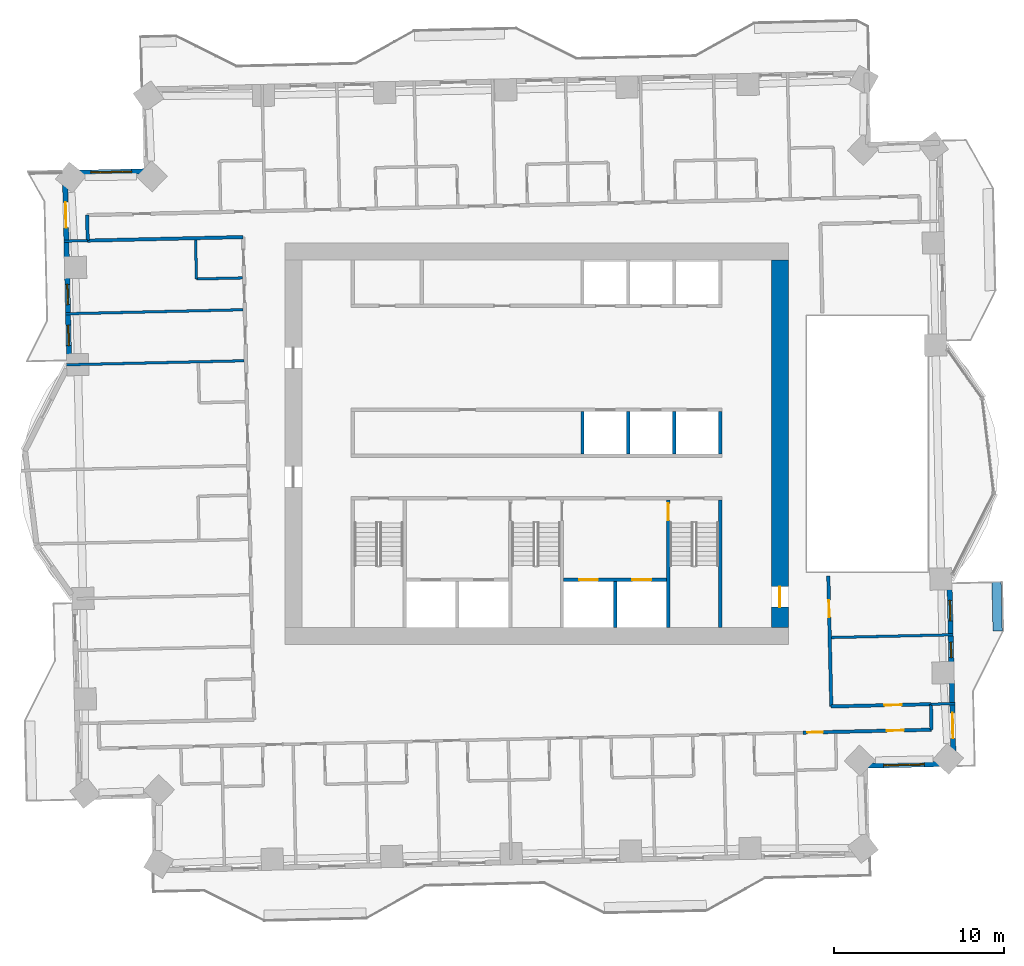
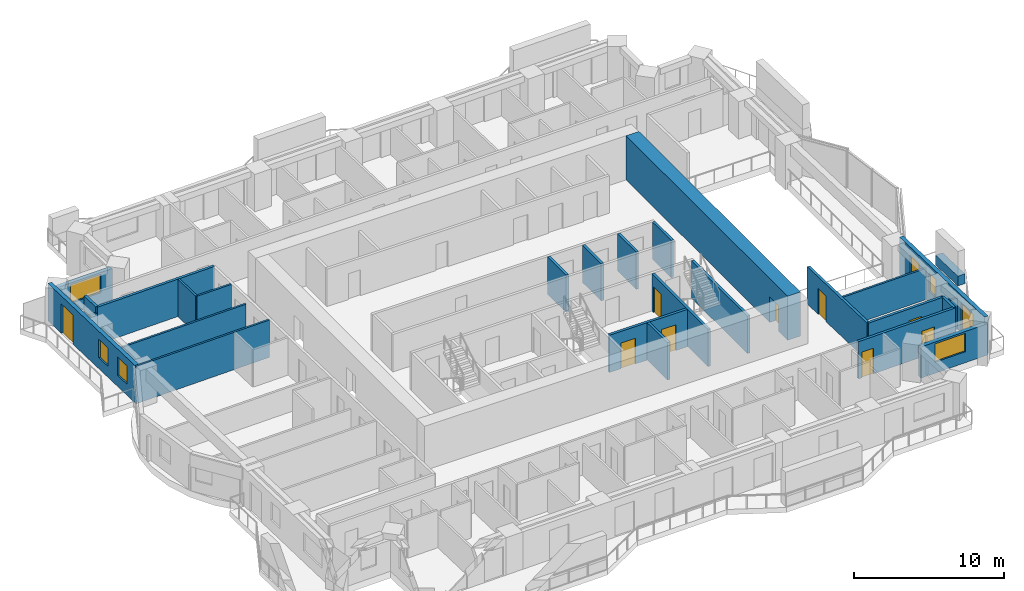
# One storey, part 9 of 16: 27 walls, 10 doors, 6 windows, 16 openings.
"""IFC4 building model written with IfcOpenShell, lengths in metres."""

import ifcopenshell
import ifcopenshell.guid

model = None  # the IFC model being written
_history = None  # IfcOwnerHistory: only IFC2X3 demands one
_inside = {}  # id of a spatial element -> (the spatial element, [elements in it])
_under = {}  # id of a project, library or spatial element -> (it, [spatial elements below it])
_declared = {}  # id of a project -> (the project, [libraries it declares])
_typed = {}  # id of a type object -> (the type object, [elements of that type])
_made_of = {}  # id of a material, layer set ... -> (it, [elements and type objects made of it])


def new_model(schema):
    """Start an empty IFC model of exactly this schema.

    Asked for "IFC4X3", IfcOpenShell would pick the latest addendum, in which some entities
    have other attributes; the version numbers below select the first issue.
    IFC2X3 requires an IfcOwnerHistory on every rooted entity: one is made here for all.
    """
    global model, _history
    if schema == "IFC4X3":
        model = ifcopenshell.file(schema_version=(4, 3, 0, 0))
    else:
        model = ifcopenshell.file(schema=schema)
    _inside.clear()
    _under.clear()
    _declared.clear()
    _typed.clear()
    _made_of.clear()
    _history = None
    if model.schema == "IFC2X3":
        org = make("IfcOrganization", Name="unknown")
        user = make(
            "IfcPersonAndOrganization",
            ThePerson=make("IfcPerson", FamilyName="unknown"),
            TheOrganization=org,
        )
        app = make(
            "IfcApplication",
            ApplicationDeveloper=org,
            Version="unknown",
            ApplicationFullName="unknown",
            ApplicationIdentifier="unknown",
        )
        _history = make(
            "IfcOwnerHistory",
            OwningUser=user,
            OwningApplication=app,
            ChangeAction="ADDED",
            CreationDate=0,
        )
    return model


def make(cls, **values):
    """One entity of the class cls with the attributes given. An attribute that is None is left unset."""
    return model.create_entity(
        cls, **{name: value for name, value in values.items() if value is not None}
    )


def rooted(cls, **values):
    """An entity with a GlobalId (a new one), such as an element, a storey or a relation."""
    return make(cls, GlobalId=ifcopenshell.guid.new(), OwnerHistory=_history, **values)


def si_unit(unit_type, name, prefix=None):
    """IfcSIUnit, for example si_unit("LENGTHUNIT", "METRE", prefix="MILLI")."""
    return make("IfcSIUnit", UnitType=unit_type, Prefix=prefix, Name=name)


def assignment(units):
    """IfcUnitAssignment: the units of a project."""
    return None if units is None else make("IfcUnitAssignment", Units=units)


def point(xyz):
    """IfcCartesianPoint."""
    return None if xyz is None else make("IfcCartesianPoint", Coordinates=xyz)


def direction(xyz):
    """IfcDirection."""
    return None if xyz is None else make("IfcDirection", DirectionRatios=xyz)


def frame(location, z_axis=None, x_axis=None):
    """IfcAxis2Placement3D, a coordinate frame: its origin and axes. An axis left out is left unset."""
    return make(
        "IfcAxis2Placement3D",
        Location=point(location),
        Axis=direction(z_axis),
        RefDirection=direction(x_axis),
    )


def frame_2d(location, x_axis=None):
    """IfcAxis2Placement2D, a coordinate frame in the plane: its origin and x axis."""
    return make(
        "IfcAxis2Placement2D", Location=point(location), RefDirection=direction(x_axis)
    )


def origin():
    """The frame at (0, 0, 0) with its axes left unset."""
    return frame((0.0, 0.0, 0.0))


def place(relative_to, where):
    """IfcLocalPlacement: puts the frame where relative to a parent placement (None: the world)."""
    return make(
        "IfcLocalPlacement", PlacementRelTo=relative_to, RelativePlacement=where
    )


def context(
    kind, dimensions, precision=None, world=None, true_north=None, identifier=None
):
    """IfcGeometricRepresentationContext, for example the 3D "Model" context."""
    return make(
        "IfcGeometricRepresentationContext",
        ContextIdentifier=identifier,
        ContextType=kind,
        CoordinateSpaceDimension=dimensions,
        Precision=precision,
        WorldCoordinateSystem=world,
        TrueNorth=true_north,
    )


def subcontext(parent, identifier, kind, view, scale=None):
    """IfcGeometricRepresentationSubContext, for example "Body" below "Model"."""
    return make(
        "IfcGeometricRepresentationSubContext",
        ContextIdentifier=identifier,
        ContextType=kind,
        ParentContext=parent,
        TargetScale=scale,
        TargetView=view,
    )


def project(units=None, contexts=None):
    """IfcProject with its units and contexts."""
    return rooted(
        "IfcProject",
        Name="project",
        RepresentationContexts=contexts,
        UnitsInContext=assignment(units),
    )


def spatial(cls, under=None, at=None, **own):
    """A site, building, storey or space (cls), placed at a placement, below another one or the project."""
    s = rooted(cls, ObjectPlacement=at, **own)
    if under is not None:
        _under.setdefault(under.id(), (under, []))[1].append(s)
    return s


def profile(cls, at=None, kind="AREA", **sizes):
    """A parametric profile (cls). Its sizes go by their IFC names, for example OverallWidth=200.0."""
    return make(cls, ProfileType=kind, Position=at, **sizes)


def rectangle(**sizes):
    """IfcRectangleProfileDef."""
    return profile("IfcRectangleProfileDef", **sizes)


def extrude(swept, where, along, depth):
    """IfcExtrudedAreaSolid: the profile swept, set in the frame where, extruded along a direction by depth."""
    return make(
        "IfcExtrudedAreaSolid",
        SweptArea=swept,
        Position=where,
        ExtrudedDirection=direction(along),
        Depth=depth,
    )


def shape(context_of_items, identifier, shape_type, items):
    """IfcShapeRepresentation: the items that make up one representation, for example the "Body"."""
    return make(
        "IfcShapeRepresentation",
        ContextOfItems=context_of_items,
        RepresentationIdentifier=identifier,
        RepresentationType=shape_type,
        Items=items,
    )


def material(Name=None, Category=None):
    """IfcMaterial."""
    return make("IfcMaterial", Name=Name, Category=Category)


def layer(
    of_material, thickness, ventilated=None, Name=None, Category=None, Priority=None
):
    """IfcMaterialLayer: one layer of a wall or slab, of a material (None: an air gap)."""
    return make(
        "IfcMaterialLayer",
        Material=of_material,
        LayerThickness=thickness,
        IsVentilated=ventilated,
        Name=Name,
        Category=Category,
        Priority=Priority,
    )


def layer_set(layers, Name=None):
    """IfcMaterialLayerSet."""
    return make("IfcMaterialLayerSet", MaterialLayers=layers, LayerSetName=Name)


def made_of(thing, what):
    """Note that an element or type object is made of a material, layer set ...; save() writes the relation."""
    if what is not None:
        _made_of.setdefault(what.id(), (what, []))[1].append(thing)
    return thing


def type_object(cls, material=None, **own):
    """A type object (cls), such as IfcWallType, which elements share."""
    return made_of(rooted(cls, **own), material)


def element(
    cls,
    number,
    at=None,
    inside=None,
    cuts=None,
    type_object=None,
    material=None,
    context=None,
    identifier="Body",
    shape_type=None,
    held_by="IfcProductDefinitionShape",
    body=None,
    shapes=None,
    **own,
):
    """One element of the class cls, such as IfcWall. Its Tag is "e" and its number.

    at: its placement. inside: the storey or other place that contains it. cuts: it is an
    opening in that element (IfcRelVoidsElement). A single representation is given by context,
    identifier, shape_type and body (its items); several are given by shapes. held_by: the class
    of the entity that holds the representations. save() writes the other relations.
    """
    e = rooted(cls, Tag="e%d" % number, ObjectPlacement=at, **own)
    if body is not None:
        shapes = [shape(context, identifier, shape_type, body)]
    if shapes is not None:
        e.Representation = make(held_by, Representations=shapes)
    if inside is not None:
        _inside.setdefault(inside.id(), (inside, []))[1].append(e)
    if cuts is not None:
        rooted(
            "IfcRelVoidsElement", RelatingBuildingElement=cuts, RelatedOpeningElement=e
        )
    if type_object is not None:
        _typed.setdefault(type_object.id(), (type_object, []))[1].append(e)
    return made_of(e, material)


def fill(opening, filler):
    """IfcRelFillsElement: the door or window that sits in an opening."""
    return rooted(
        "IfcRelFillsElement",
        RelatingOpeningElement=opening,
        RelatedBuildingElement=filler,
    )


def aggregate(whole, parts):
    """IfcRelAggregates: a whole, such as a stair, and the parts it consists of."""
    return rooted("IfcRelAggregates", RelatingObject=whole, RelatedObjects=parts)


def save(model, path):
    """Write the relations noted so far, then the file.

    IfcRelAggregates (storeys below a building ...), IfcRelContainedInSpatialStructure (elements
    in a storey), IfcRelDefinesByType, IfcRelAssociatesMaterial and IfcRelDeclares: one each for
    every whole, place, type object, material and project.
    """
    for whole, parts in _under.values():
        aggregate(whole, parts)
    for where, things in _inside.values():
        rooted(
            "IfcRelContainedInSpatialStructure",
            RelatedElements=things,
            RelatingStructure=where,
        )
    for kind, things in _typed.values():
        rooted("IfcRelDefinesByType", RelatedObjects=things, RelatingType=kind)
    for what, things in _made_of.values():
        rooted("IfcRelAssociatesMaterial", RelatedObjects=things, RelatingMaterial=what)
    for by, libraries in _declared.values():
        rooted("IfcRelDeclares", RelatingContext=by, RelatedDefinitions=libraries)
    model.write(path)


model = new_model("IFC4")

# Units and contexts
model_context = context("Model", 3, precision=1e-05, world=origin(), true_north=direction((0.0, 1.0)))
body_context = subcontext(model_context, "Body", "Model", "MODEL_VIEW")
ifc_project = project(units=[si_unit("LENGTHUNIT", "METRE"), si_unit("AREAUNIT", "SQUARE_METRE"), si_unit("VOLUMEUNIT", "CUBIC_METRE"), si_unit("PLANEANGLEUNIT", "RADIAN"), si_unit("MASSUNIT", "GRAM", prefix="KILO")], contexts=[model_context])

# Site, building, storey
site_placement = place(None, origin())
site = spatial("IfcSite", under=ifc_project, at=site_placement, CompositionType="ELEMENT")
building_placement = place(site_placement, origin())
building = spatial("IfcBuilding", under=site, at=building_placement, Name="Mangrove Gate Tower", CompositionType="ELEMENT")
storey_placement = place(building_placement, frame((0.0, 0.0, 133.699951171875)))
storey = spatial("IfcBuildingStorey", under=building, at=storey_placement, Name="L33", CompositionType="ELEMENT", Elevation=133.699951171875)

# Wall, openings, doors
ifc_material_1 = material(Name="Concrete C70/85", Category="concrete")
ifc_layer_1 = layer(ifc_material_1, 0.199951171875)
ifc_layer_set_1 = layer_set([ifc_layer_1], Name="Core shaft wall 200 C70/85")
wall_type_1 = type_object("IfcWallType", Name="Core shaft wall 200 C70/85", PredefinedType="SHEAR", material=ifc_layer_set_1)
wall_1_placement = place(storey_placement, frame((1.60009765625, -8.0, 0.0), z_axis=(0.0, 0.0, 1.0), x_axis=(1.0, 0.0, 0.0)))
wall_1 = element("IfcWall", 1, at=wall_1_placement, inside=storey, type_object=wall_type_1, Name="WALL-L33-CORE-17", PredefinedType="SHEAR", context=body_context, shape_type="SweptSolid", body=[
    extrude(rectangle(XDim=6.0498046875, YDim=0.199951171875, at=frame_2d((3.02490234375, 0.0))), origin(), (0.0, 0.0, 1.0), 3.050048828125),
])
opening_1_placement = place(wall_1_placement, frame((0.91259765625, 0.0, 0.0)))
opening_1 = element("IfcOpeningElement", 2, at=opening_1_placement, cuts=wall_1, Name="Opening LD", PredefinedType="OPENING", context=body_context, shape_type="SweptSolid", body=[
    extrude(rectangle(XDim=1.10009765625, YDim=2.10009765625, at=frame_2d((0.550048828125, 1.050048828125))), frame((0.0, 0.10986328125, 0.0), z_axis=(0.0, -1.0, 0.0), x_axis=(1.0, 0.0, 0.0)), (0.0, 0.0, 1.0), 0.219970703125),
])
opening_2_placement = place(wall_1_placement, frame((4.03759765625, 0.0, 0.0)))
opening_2 = element("IfcOpeningElement", 3, at=opening_2_placement, cuts=wall_1, Name="Opening LD", PredefinedType="OPENING", context=body_context, shape_type="SweptSolid", body=[
    extrude(rectangle(XDim=1.10009765625, YDim=2.10009765625, at=frame_2d((0.550048828125, 1.050048828125))), frame((0.0, 0.10986328125, 0.0), z_axis=(0.0, -1.0, 0.0), x_axis=(1.0, 0.0, 0.0)), (0.0, 0.0, 1.0), 0.219970703125),
])
ifc_material_2 = material(Name="Stainless steel 316", Category="steel")
door_type_1 = type_object("IfcDoorType", Name="Lift landing door 1100x2100", OperationType="SLIDING_TO_LEFT", PredefinedType="DOOR", material=ifc_material_2)
door_1_placement = place(opening_1_placement, origin())
door_1 = element("IfcDoor", 4, at=door_1_placement, inside=storey, type_object=door_type_1, Name="Landing door LD FFL1", OperationType="SLIDING_TO_LEFT", OverallHeight=2.10009765625, OverallWidth=1.10009765625, PredefinedType="DOOR", context=body_context, shape_type="SweptSolid", body=[
    extrude(rectangle(XDim=1.10009765625, YDim=2.10009765625, at=frame_2d((0.550048828125, 1.050048828125))), frame((0.0, 0.02490234375, 0.0), z_axis=(0.0, -1.0, 0.0), x_axis=(1.0, 0.0, 0.0)), (0.0, 0.0, 1.0), 0.050048828125),
])
fill(opening_1, door_1)
door_2_placement = place(opening_2_placement, origin())
door_2 = element("IfcDoor", 5, at=door_2_placement, inside=storey, type_object=door_type_1, Name="Landing door LD FFL2", OperationType="SLIDING_TO_LEFT", OverallHeight=2.10009765625, OverallWidth=1.10009765625, PredefinedType="DOOR", context=body_context, shape_type="SweptSolid", body=[
    extrude(rectangle(XDim=1.10009765625, YDim=2.10009765625, at=frame_2d((0.550048828125, 1.050048828125))), frame((0.0, 0.02490234375, 0.0), z_axis=(0.0, -1.0, 0.0), x_axis=(1.0, 0.0, 0.0)), (0.0, 0.0, 1.0), 0.050048828125),
])
fill(opening_2, door_2)

# Walls
wall_2_placement = place(storey_placement, frame((4.625, -10.800048828125, 0.0), z_axis=(0.0, 0.0, 1.0), x_axis=(0.0, 1.0, 0.0)))
element("IfcWall", 6, at=wall_2_placement, inside=storey, type_object=wall_type_1, Name="WALL-L33-CORE-18", PredefinedType="SHEAR", context=body_context, shape_type="SweptSolid", body=[
    extrude(rectangle(XDim=2.699951171875, YDim=0.199951171875, at=frame_2d((1.35009765625, 0.0))), origin(), (0.0, 0.0, 1.0), 3.050048828125),
])
for number, where, z_axis, x_axis, name in (
    (7, (2.699951171875, -0.60009765625, 0.0), (0.0, 0.0, 1.0), (0.0, 1.0, 0.0), "WALL-L33-CORE-20"),
    (8, (5.39990234375, -0.60009765625, 0.0), (0.0, 0.0, 1.0), (0.0, 1.0, 0.0), "WALL-L33-CORE-21"),
    (9, (8.10009765625, -0.60009765625, 0.0), (0.0, 0.0, 1.0), (0.0, 1.0, 0.0), "WALL-L33-CORE-22"),
    (10, (10.800048828125, -0.60009765625, 0.0), (0.0, 0.0, 1.0), (0.0, 1.0, 0.0), "WALL-L33-CORE-23"),
):
    element("IfcWall", number, at=place(storey_placement, frame(where, z_axis=z_axis, x_axis=x_axis)), inside=storey, type_object=wall_type_1, Name=name, PredefinedType="SHEAR", context=body_context, shape_type="SweptSolid", body=[
        extrude(rectangle(XDim=2.5, YDim=0.199951171875, at=frame_2d((1.25, 0.0))), origin(), (0.0, 0.0, 1.0), 3.050048828125),
    ])

# Wall, opening, door
ifc_material_3 = material(Name="Concrete C70/85", Category="concrete")
ifc_layer_2 = layer(ifc_material_3, 0.199951171875)
ifc_layer_set_2 = layer_set([ifc_layer_2], Name="Core stair wall 200 C70/85")
wall_type_2 = type_object("IfcWallType", Name="Core stair wall 200 C70/85", PredefinedType="SHEAR", material=ifc_layer_set_2)
wall_3_placement = place(storey_placement, frame((7.75, -10.800048828125, 0.0), z_axis=(0.0, 0.0, 1.0), x_axis=(0.0, 1.0, 0.0)))
wall_3 = element("IfcWall", 11, at=wall_3_placement, inside=storey, type_object=wall_type_2, Name="WALL-L33-CORE-13", PredefinedType="SHEAR", context=body_context, shape_type="SweptSolid", body=[
    extrude(rectangle(XDim=7.5, YDim=0.199951171875, at=frame_2d((3.75, 0.0))), origin(), (0.0, 0.0, 1.0), 3.050048828125),
])
opening_3_placement = place(wall_3_placement, frame((6.300048828125, 0.0, 0.0)))
opening_3 = element("IfcOpeningElement", 12, at=opening_3_placement, cuts=wall_3, Name="Opening STD10", PredefinedType="OPENING", context=body_context, shape_type="SweptSolid", body=[
    extrude(rectangle(XDim=1.0, YDim=2.10009765625, at=frame_2d((0.5, 1.050048828125))), frame((0.0, 0.10986328125, 0.0), z_axis=(0.0, -1.0, 0.0), x_axis=(1.0, 0.0, 0.0)), (0.0, 0.0, 1.0), 0.219970703125),
])
ifc_material_4 = material(Name="Fire-rated steel door set", Category="steel")
door_type_2 = type_object("IfcDoorType", Name="Stair door FD60 1000x2100", OperationType="SINGLE_SWING_RIGHT", PredefinedType="DOOR", material=ifc_material_4)
door_3_placement = place(opening_3_placement, origin())
door_3 = element("IfcDoor", 13, at=door_3_placement, inside=storey, type_object=door_type_2, Name="Stair door Stair 3 from fire-fighting lobby", OperationType="SINGLE_SWING_RIGHT", OverallHeight=2.10009765625, OverallWidth=1.0, PredefinedType="DOOR", context=body_context, shape_type="SweptSolid", body=[
    extrude(rectangle(XDim=1.0, YDim=2.10009765625, at=frame_2d((0.5, 1.050048828125))), frame((0.0, 0.02490234375, 0.0), z_axis=(0.0, -1.0, 0.0), x_axis=(1.0, 0.0, 0.0)), (0.0, 0.0, 1.0), 0.050048828125),
])
fill(opening_3, door_3)

# Wall
wall_4_placement = place(storey_placement, frame((10.800048828125, -10.800048828125, 0.0), z_axis=(0.0, 0.0, 1.0), x_axis=(0.0, 1.0, 0.0)))
element("IfcWall", 14, at=wall_4_placement, inside=storey, type_object=wall_type_2, Name="WALL-L33-CORE-14", PredefinedType="SHEAR", context=body_context, shape_type="SweptSolid", body=[
    extrude(rectangle(XDim=7.5, YDim=0.199951171875, at=frame_2d((3.75, 0.0))), origin(), (0.0, 0.0, 1.0), 3.050048828125),
])

# Wall, opening, door
ifc_material_5 = material(Name="Concrete C70/85", Category="concrete")
ifc_layer_3 = layer(ifc_material_5, 1.0)
ifc_layer_set_3 = layer_set([ifc_layer_3], Name="Core wall 1000 C70/85")
wall_type_3 = type_object("IfcWallType", Name="Core wall 1000 C70/85", PredefinedType="SHEAR", material=ifc_layer_set_3)
wall_5_placement = place(storey_placement, frame((14.300048828125, -10.800048828125, 0.0), z_axis=(0.0, 0.0, 1.0), x_axis=(0.0, 1.0, 0.0)))
wall_5 = element("IfcWall", 15, at=wall_5_placement, inside=storey, type_object=wall_type_3, Name="WALL-L33-CORE-4", PredefinedType="SHEAR", context=body_context, shape_type="SweptSolid", body=[
    extrude(rectangle(XDim=21.60009765625, YDim=1.0, at=frame_2d((10.800048828125, 0.0))), origin(), (0.0, 0.0, 1.0), 3.60009765625),
])
opening_4_placement = place(wall_5_placement, frame((1.199951171875, 0.0, 0.0)))
opening_4 = element("IfcOpeningElement", 16, at=opening_4_placement, cuts=wall_5, Name="Opening CD", PredefinedType="OPENING", context=body_context, shape_type="SweptSolid", body=[
    extrude(rectangle(XDim=1.199951171875, YDim=2.10009765625, at=frame_2d((0.60009765625, 1.050048828125))), frame((0.0, 0.510009765625, 0.0), z_axis=(0.0, -1.0, 0.0), x_axis=(1.0, 0.0, 0.0)), (0.0, 0.0, 1.0), 1.02001953125),
])
ifc_material_6 = material(Name="Fire-rated steel door set", Category="steel")
door_type_3 = type_object("IfcDoorType", Name="Core ring door FD60 1200x2100", OperationType="DOUBLE_DOOR_SINGLE_SWING", PredefinedType="DOOR", material=ifc_material_6)
door_4_placement = place(opening_4_placement, origin())
door_4 = element("IfcDoor", 17, at=door_4_placement, inside=storey, type_object=door_type_3, Name="Core ring door E1", OperationType="DOUBLE_DOOR_SINGLE_SWING", OverallHeight=2.10009765625, OverallWidth=1.199951171875, PredefinedType="DOOR", context=body_context, shape_type="SweptSolid", body=[
    extrude(rectangle(XDim=1.199951171875, YDim=2.10009765625, at=frame_2d((0.60009765625, 1.050048828125))), frame((0.0, 0.02490234375, 0.0), z_axis=(0.0, -1.0, 0.0), x_axis=(1.0, 0.0, 0.0)), (0.0, 0.0, 1.0), 0.050048828125),
])
fill(opening_4, door_4)

# Wall
ifc_material_7 = material(Name="Gypsum board on steel stud, EI 60", Category="steel")
ifc_layer_4 = layer(ifc_material_7, 0.199951171875)
ifc_layer_set_4 = layer_set([ifc_layer_4], Name="Corridor wall EI 60")
wall_type_4 = type_object("IfcWallType", Name="Corridor wall EI 60", PredefinedType="PARTITIONING", material=ifc_layer_set_4)
wall_6_placement = place(storey_placement, frame((23.219970703125, -16.81494140625, 0.0), z_axis=(0.0, 0.0, 1.0), x_axis=(-0.022617910375, 0.999744182344, 0.0)))
element("IfcWall", 18, at=wall_6_placement, inside=storey, type_object=wall_type_4, Name="WALL-L33-028", PredefinedType="PARTITIONING", context=body_context, shape_type="SweptSolid", body=[
    extrude(rectangle(XDim=1.50048828125, YDim=0.199951171875, at=frame_2d((0.750244140625, 0.0))), origin(), (0.0, 0.0, 1.0), 3.050048828125),
])

# Wall, openings, doors
wall_7_placement = place(storey_placement, frame((15.657958984375, -16.98193359375, 0.0), z_axis=(0.0, 0.0, 1.0), x_axis=(0.99974485859, 0.022587999516, 0.0)))
wall_7 = element("IfcWall", 19, at=wall_7_placement, inside=storey, type_object=wall_type_4, Name="WALL-L33-031", PredefinedType="PARTITIONING", context=body_context, shape_type="SweptSolid", body=[
    extrude(rectangle(XDim=7.56591796875, YDim=0.199951171875, at=frame_2d((3.782958984375, 0.0))), origin(), (0.0, 0.0, 1.0), 3.050048828125),
])
opening_5_placement = place(wall_7_placement, frame((4.944091796875, 0.0, 0.0)))
opening_5 = element("IfcOpeningElement", 20, at=opening_5_placement, cuts=wall_7, Name="Opening AD", PredefinedType="OPENING", context=body_context, shape_type="SweptSolid", body=[
    extrude(rectangle(XDim=1.0, YDim=2.10009765625, at=frame_2d((0.5, 1.050048828125))), frame((0.0, 0.10986328125, 0.0), z_axis=(0.0, -1.0, 0.0), x_axis=(1.0, 0.0, 0.0)), (0.0, 0.0, 1.0), 0.219970703125),
])
opening_6_placement = place(wall_7_placement, frame((0.27197265625, 0.0, 0.0)))
opening_6 = element("IfcOpeningElement", 21, at=opening_6_placement, cuts=wall_7, Name="Opening SD", PredefinedType="OPENING", context=body_context, shape_type="SweptSolid", body=[
    extrude(rectangle(XDim=0.89990234375, YDim=2.10009765625, at=frame_2d((0.449951171875, 1.050048828125))), frame((0.0, 0.10986328125, 0.0), z_axis=(0.0, -1.0, 0.0), x_axis=(1.0, 0.0, 0.0)), (0.0, 0.0, 1.0), 0.219970703125),
])
ifc_material_8 = material(Name="Timber door leaf", Category="wood")
door_type_4 = type_object("IfcDoorType", Name="Amenity door 1000", OperationType="SINGLE_SWING_LEFT", PredefinedType="DOOR", material=ifc_material_8)
door_5_placement = place(opening_5_placement, origin())
door_5 = element("IfcDoor", 22, at=door_5_placement, inside=storey, type_object=door_type_4, Name="DOOR-L33-LNG-c3a", OperationType="SINGLE_SWING_RIGHT", OverallHeight=2.10009765625, OverallWidth=1.0, PredefinedType="DOOR", context=body_context, shape_type="SweptSolid", body=[
    extrude(rectangle(XDim=1.0, YDim=2.10009765625, at=frame_2d((0.5, 1.050048828125))), frame((0.0, 0.02490234375, 0.0), z_axis=(0.0, -1.0, 0.0), x_axis=(1.0, 0.0, 0.0)), (0.0, 0.0, 1.0), 0.050048828125),
])
fill(opening_5, door_5)
ifc_material_9 = material(Name="Timber door leaf", Category="wood")
door_type_5 = type_object("IfcDoorType", Name="Service room door 900", OperationType="SINGLE_SWING_LEFT", PredefinedType="DOOR", material=ifc_material_9)
door_6_placement = place(opening_6_placement, origin())
door_6 = element("IfcDoor", 23, at=door_6_placement, inside=storey, type_object=door_type_5, Name="DOOR-L33-LIN-c3a", OperationType="SINGLE_SWING_RIGHT", OverallHeight=2.10009765625, OverallWidth=0.89990234375, PredefinedType="DOOR", context=body_context, shape_type="SweptSolid", body=[
    extrude(rectangle(XDim=0.89990234375, YDim=2.10009765625, at=frame_2d((0.449951171875, 1.050048828125))), frame((0.0, 0.02490234375, 0.0), z_axis=(0.0, -1.0, 0.0), x_axis=(1.0, 0.0, 0.0)), (0.0, 0.0, 1.0), 0.050048828125),
])
fill(opening_6, door_6)

# Wall, opening, door
wall_8_placement = place(storey_placement, frame((17.327880859375, -15.447998046875, 0.0), z_axis=(0.0, 0.0, 1.0), x_axis=(-0.022680883318, 0.999742755679, 0.0)))
wall_8 = element("IfcWall", 24, at=wall_8_placement, inside=storey, type_object=wall_type_4, Name="WALL-L33-034", PredefinedType="PARTITIONING", context=body_context, shape_type="SweptSolid", body=[
    extrude(rectangle(XDim=7.6640625, YDim=0.199951171875, at=frame_2d((3.83203125, 0.0))), origin(), (0.0, 0.0, 1.0), 3.050048828125),
])
opening_7_placement = place(wall_8_placement, frame((5.2548828125, 0.0, 0.0)))
opening_7 = element("IfcOpeningElement", 25, at=opening_7_placement, cuts=wall_8, Name="Opening AD", PredefinedType="OPENING", context=body_context, shape_type="SweptSolid", body=[
    extrude(rectangle(XDim=1.0, YDim=2.10009765625, at=frame_2d((0.5, 1.050048828125))), frame((0.0, 0.10986328125, 0.0), z_axis=(0.0, -1.0, 0.0), x_axis=(1.0, 0.0, 0.0)), (0.0, 0.0, 1.0), 0.219970703125),
])
door_7_placement = place(opening_7_placement, origin())
door_7 = element("IfcDoor", 26, at=door_7_placement, inside=storey, type_object=door_type_4, Name="DOOR-L33-STU-c3a", OperationType="SINGLE_SWING_RIGHT", OverallHeight=2.10009765625, OverallWidth=1.0, PredefinedType="DOOR", context=body_context, shape_type="SweptSolid", body=[
    extrude(rectangle(XDim=1.0, YDim=2.10009765625, at=frame_2d((0.5, 1.050048828125))), frame((0.0, 0.02490234375, 0.0), z_axis=(0.0, -1.0, 0.0), x_axis=(1.0, 0.0, 0.0)), (0.0, 0.0, 1.0), 0.050048828125),
])
fill(opening_7, door_7)

wall_9_placement = place(storey_placement, frame((17.322998046875, -15.444091796875, 0.0), z_axis=(0.0, 0.0, 1.0), x_axis=(0.999742758565, 0.022680756085, 0.0)))
wall_9 = element("IfcWall", 27, at=wall_9_placement, inside=storey, type_object=wall_type_4, Name="WALL-L33-037", PredefinedType="PARTITIONING", context=body_context, shape_type="SweptSolid", body=[
    extrude(rectangle(XDim=5.866455078125, YDim=0.199951171875, at=frame_2d((2.93310546875, 0.0))), origin(), (0.0, 0.0, 1.0), 3.050048828125),
])
opening_8_placement = place(wall_9_placement, frame((3.134033203125, 0.0, 0.0)))
opening_8 = element("IfcOpeningElement", 28, at=opening_8_placement, cuts=wall_9, Name="Opening AD", PredefinedType="OPENING", context=body_context, shape_type="SweptSolid", body=[
    extrude(rectangle(XDim=1.0, YDim=2.10009765625, at=frame_2d((0.5, 1.050048828125))), frame((0.0, 0.10986328125, 0.0), z_axis=(0.0, -1.0, 0.0), x_axis=(1.0, 0.0, 0.0)), (0.0, 0.0, 1.0), 0.219970703125),
])
door_8_placement = place(opening_8_placement, origin())
door_8 = element("IfcDoor", 29, at=door_8_placement, inside=storey, type_object=door_type_4, Name="DOOR-L33-KIT-c3a", OperationType="SINGLE_SWING_LEFT", OverallHeight=2.10009765625, OverallWidth=1.0, PredefinedType="DOOR", context=body_context, shape_type="SweptSolid", body=[
    extrude(rectangle(XDim=1.0, YDim=2.10009765625, at=frame_2d((0.5, 1.050048828125))), frame((0.0, 0.02490234375, 0.0), z_axis=(0.0, -1.0, 0.0), x_axis=(1.0, 0.0, 0.0)), (0.0, 0.0, 1.0), 0.050048828125),
])
fill(opening_8, door_8)

# Walls
wall_10_placement = place(storey_placement, frame((-26.386962890625, 11.94091796875, 0.0), z_axis=(0.0, 0.0, 1.0), x_axis=(0.999741076645, 0.022754772455, 0.0)))
element("IfcWall", 30, at=wall_10_placement, inside=storey, type_object=wall_type_4, Name="WALL-L33-055", PredefinedType="PARTITIONING", context=body_context, shape_type="SweptSolid", body=[
    extrude(rectangle(XDim=9.141357421875, YDim=0.199951171875, at=frame_2d((4.57080078125, 0.0))), origin(), (0.0, 0.0, 1.0), 3.050048828125),
])
wall_11_placement = place(storey_placement, frame((-26.385009765625, 11.94091796875, 0.0), z_axis=(0.0, 0.0, 1.0), x_axis=(-0.022617910375, 0.999744182344, 0.0)))
element("IfcWall", 31, at=wall_11_placement, inside=storey, type_object=wall_type_4, Name="WALL-L33-056", PredefinedType="PARTITIONING", context=body_context, shape_type="SweptSolid", body=[
    extrude(rectangle(XDim=1.50048828125, YDim=0.199951171875, at=frame_2d((0.750244140625, 0.0))), origin(), (0.0, 0.0, 1.0), 3.050048828125),
])

# Wall, openings, door, windows
ifc_material_10 = material(Name="Limestone", Category="masonry")
ifc_layer_5 = layer(ifc_material_10, 0.0400390625, Name="Limestone cladding")
ifc_material_11 = material(Name="Ventilated air gap")
ifc_layer_6 = layer(ifc_material_11, 0.0400390625, Name="Ventilated cavity")
ifc_material_12 = material(Name="Mineral wool insulation")
ifc_layer_7 = layer(ifc_material_12, 0.06005859375, Name="Insulation")
ifc_material_13 = material(Name="Breather membrane")
ifc_layer_8 = layer(ifc_material_13, 0.001953125, Name="Breather membrane")
ifc_material_14 = material(Name="Concrete C20/25 blockwork", Category="masonry")
ifc_layer_9 = layer(ifc_material_14, 0.14990234375, Name="Blockwork backing wall")
ifc_material_15 = material(Name="Gypsum plaster")
ifc_layer_10 = layer(ifc_material_15, 0.008056640625, Name="Internal plaster")
ifc_layer_set_5 = layer_set([ifc_layer_5, ifc_layer_6, ifc_layer_7, ifc_layer_8, ifc_layer_9, ifc_layer_10], Name="External wall 300 limestone cladding")
wall_type_5 = type_object("IfcWallType", Name="External wall 300 limestone cladding", PredefinedType="SOLIDWALL", material=ifc_layer_set_5)
wall_12_placement = place(storey_placement, frame((24.51806640625, -18.81201171875, 0.0), z_axis=(0.0, 0.0, 1.0), x_axis=(-0.02269451316, 0.999742446369, 0.0)))
wall_12 = element("IfcWall", 32, at=wall_12_placement, inside=storey, type_object=wall_type_5, Name="WALL-L33-E0", PredefinedType="SOLIDWALL", context=body_context, shape_type="SweptSolid", body=[
    extrude(rectangle(XDim=10.929931640625, YDim=0.300048828125, at=frame_2d((5.46484375, 0.0))), origin(), (0.0, 0.0, 1.0), 3.050048828125),
])
opening_9_placement = place(wall_12_placement, frame((1.49609375, 0.0, 0.0)))
opening_9 = element("IfcOpeningElement", 33, at=opening_9_placement, cuts=wall_12, Name="Opening BD1", PredefinedType="OPENING", context=body_context, shape_type="SweptSolid", body=[
    extrude(rectangle(XDim=1.5, YDim=2.39990234375, at=frame_2d((0.75, 1.199951171875))), frame((0.0, 0.159912109375, 0.0), z_axis=(0.0, -1.0, 0.0), x_axis=(1.0, 0.0, 0.0)), (0.0, 0.0, 1.0), 0.320068359375),
])
opening_10_placement = place(wall_12_placement, frame((6.243896484375, 0.0, 0.89990234375)))
opening_10 = element("IfcOpeningElement", 34, at=opening_10_placement, cuts=wall_12, Name="Opening W5", PredefinedType="OPENING", context=body_context, shape_type="SweptSolid", body=[
    extrude(rectangle(XDim=0.89990234375, YDim=1.5, at=frame_2d((0.449951171875, 0.75))), frame((0.0, 0.159912109375, 0.0), z_axis=(0.0, -1.0, 0.0), x_axis=(1.0, 0.0, 0.0)), (0.0, 0.0, 1.0), 0.320068359375),
])
opening_11_placement = place(wall_12_placement, frame((8.39990234375, 0.0, 0.89990234375)))
opening_11 = element("IfcOpeningElement", 35, at=opening_11_placement, cuts=wall_12, Name="Opening W1", PredefinedType="OPENING", context=body_context, shape_type="SweptSolid", body=[
    extrude(rectangle(XDim=1.199951171875, YDim=1.5, at=frame_2d((0.60009765625, 0.75))), frame((0.0, 0.159912109375, 0.0), z_axis=(0.0, -1.0, 0.0), x_axis=(1.0, 0.0, 0.0)), (0.0, 0.0, 1.0), 0.320068359375),
])
ifc_material_16 = material(Name="Aluminium frame with laminated clear glass", Category="aluminium")
door_type_6 = type_object("IfcDoorType", Name="Balcony sliding door 1500x2400", OperationType="SLIDING_TO_LEFT", PredefinedType="DOOR", material=ifc_material_16)
door_9_placement = place(opening_9_placement, origin())
door_9 = element("IfcDoor", 36, at=door_9_placement, inside=storey, type_object=door_type_6, Name="DOOR-L33-E0-1", OperationType="SLIDING_TO_LEFT", OverallHeight=2.39990234375, OverallWidth=1.5, PredefinedType="DOOR", context=body_context, shape_type="SweptSolid", body=[
    extrude(rectangle(XDim=1.5, YDim=2.39990234375, at=frame_2d((0.75, 1.199951171875))), frame((0.0, 0.02490234375, 0.0), z_axis=(0.0, -1.0, 0.0), x_axis=(1.0, 0.0, 0.0)), (0.0, 0.0, 1.0), 0.050048828125),
])
fill(opening_9, door_9)
ifc_material_17 = material(Name="Aluminium frame with double-glazed low-e glass", Category="aluminium")
window_type_1 = type_object("IfcWindowType", Name="Narrow window 900x1500", PartitioningType="SINGLE_PANEL", PredefinedType="WINDOW", material=ifc_material_17)
window_1_placement = place(opening_10_placement, origin())
window_1 = element("IfcWindow", 37, at=window_1_placement, inside=storey, type_object=window_type_1, Name="WIN-L33-E0-2", OverallHeight=1.5, OverallWidth=0.89990234375, PartitioningType="SINGLE_PANEL", PredefinedType="WINDOW", context=body_context, shape_type="SweptSolid", body=[
    extrude(rectangle(XDim=0.89990234375, YDim=1.5, at=frame_2d((0.449951171875, 0.75))), frame((0.0, 0.030029296875, 0.0), z_axis=(0.0, -1.0, 0.0), x_axis=(1.0, 0.0, 0.0)), (0.0, 0.0, 1.0), 0.06005859375),
])
fill(opening_10, window_1)
ifc_material_18 = material(Name="Aluminium frame with double-glazed low-e glass", Category="aluminium")
window_type_2 = type_object("IfcWindowType", Name="Side lite 1200x1500", PartitioningType="SINGLE_PANEL", PredefinedType="WINDOW", material=ifc_material_18)
window_2_placement = place(opening_11_placement, origin())
window_2 = element("IfcWindow", 38, at=window_2_placement, inside=storey, type_object=window_type_2, Name="WIN-L33-E0-3", OverallHeight=1.5, OverallWidth=1.199951171875, PartitioningType="SINGLE_PANEL", PredefinedType="WINDOW", context=body_context, shape_type="SweptSolid", body=[
    extrude(rectangle(XDim=1.199951171875, YDim=1.5, at=frame_2d((0.60009765625, 0.75))), frame((0.0, 0.030029296875, 0.0), z_axis=(0.0, -1.0, 0.0), x_axis=(1.0, 0.0, 0.0)), (0.0, 0.0, 1.0), 0.06005859375),
])
fill(opening_11, window_2)

# Wall, opening, window
wall_13_placement = place(storey_placement, frame((-22.927978515625, 16.02099609375, 0.0), z_axis=(0.0, 0.0, 1.0), x_axis=(-0.999742701292, -0.022683280499, 0.0)))
wall_13 = element("IfcWall", 39, at=wall_13_placement, inside=storey, type_object=wall_type_5, Name="WALL-L33-N7", PredefinedType="SOLIDWALL", context=body_context, shape_type="SweptSolid", body=[
    extrude(rectangle(XDim=4.80029296875, YDim=0.300048828125, at=frame_2d((2.400146484375, 0.0))), origin(), (0.0, 0.0, 1.0), 2.550048828125),
])
opening_12_placement = place(wall_13_placement, frame((0.873046875, 0.0, 0.89990234375)))
opening_12 = element("IfcOpeningElement", 40, at=opening_12_placement, cuts=wall_13, Name="Opening W2", PredefinedType="OPENING", context=body_context, shape_type="SweptSolid", body=[
    extrude(rectangle(XDim=2.39990234375, YDim=1.5, at=frame_2d((1.199951171875, 0.75))), frame((0.0, 0.159912109375, 0.0), z_axis=(0.0, -1.0, 0.0), x_axis=(1.0, 0.0, 0.0)), (0.0, 0.0, 1.0), 0.320068359375),
])
ifc_material_19 = material(Name="Aluminium frame with double-glazed low-e glass", Category="aluminium")
window_type_3 = type_object("IfcWindowType", Name="Corner room window 2400x1500", PartitioningType="DOUBLE_PANEL_VERTICAL", PredefinedType="WINDOW", material=ifc_material_19)
window_3_placement = place(opening_12_placement, origin())
window_3 = element("IfcWindow", 41, at=window_3_placement, inside=storey, type_object=window_type_3, Name="WIN-L33-N7-1", OverallHeight=1.5, OverallWidth=2.39990234375, PartitioningType="DOUBLE_PANEL_VERTICAL", PredefinedType="WINDOW", context=body_context, shape_type="SweptSolid", body=[
    extrude(rectangle(XDim=2.39990234375, YDim=1.5, at=frame_2d((1.199951171875, 0.75))), frame((0.0, 0.030029296875, 0.0), z_axis=(0.0, -1.0, 0.0), x_axis=(1.0, 0.0, 0.0)), (0.0, 0.0, 1.0), 0.06005859375),
])
fill(opening_12, window_3)

# Wall, openings, door, windows
wall_14_placement = place(storey_placement, frame((-27.72705078125, 15.912109375, 0.0), z_axis=(0.0, 0.0, 1.0), x_axis=(0.022690078929, -0.999742547018, 0.0)))
wall_14 = element("IfcWall", 42, at=wall_14_placement, inside=storey, type_object=wall_type_5, Name="WALL-L33-W8", PredefinedType="SOLIDWALL", context=body_context, shape_type="SweptSolid", body=[
    extrude(rectangle(XDim=11.330078125, YDim=0.300048828125, at=frame_2d((5.6650390625, 0.0))), origin(), (0.0, 0.0, 1.0), 3.050048828125),
])
opening_13_placement = place(wall_14_placement, frame((1.717041015625, 0.0, 0.0)))
opening_13 = element("IfcOpeningElement", 43, at=opening_13_placement, cuts=wall_14, Name="Opening BD1", PredefinedType="OPENING", context=body_context, shape_type="SweptSolid", body=[
    extrude(rectangle(XDim=1.5, YDim=2.39990234375, at=frame_2d((0.75, 1.199951171875))), frame((0.0, 0.159912109375, 0.0), z_axis=(0.0, -1.0, 0.0), x_axis=(1.0, 0.0, 0.0)), (0.0, 0.0, 1.0), 0.320068359375),
])
opening_14_placement = place(wall_14_placement, frame((6.5439453125, 0.0, 0.89990234375)))
opening_14 = element("IfcOpeningElement", 44, at=opening_14_placement, cuts=wall_14, Name="Opening W1", PredefinedType="OPENING", context=body_context, shape_type="SweptSolid", body=[
    extrude(rectangle(XDim=1.199951171875, YDim=1.5, at=frame_2d((0.60009765625, 0.75))), frame((0.0, 0.159912109375, 0.0), z_axis=(0.0, -1.0, 0.0), x_axis=(1.0, 0.0, 0.0)), (0.0, 0.0, 1.0), 0.320068359375),
])
opening_15_placement = place(wall_14_placement, frame((8.949951171875, 0.0, 0.89990234375)))
opening_15 = element("IfcOpeningElement", 45, at=opening_15_placement, cuts=wall_14, Name="Opening W1", PredefinedType="OPENING", context=body_context, shape_type="SweptSolid", body=[
    extrude(rectangle(XDim=1.199951171875, YDim=1.5, at=frame_2d((0.60009765625, 0.75))), frame((0.0, 0.159912109375, 0.0), z_axis=(0.0, -1.0, 0.0), x_axis=(1.0, 0.0, 0.0)), (0.0, 0.0, 1.0), 0.320068359375),
])
door_10_placement = place(opening_13_placement, origin())
door_10 = element("IfcDoor", 46, at=door_10_placement, inside=storey, type_object=door_type_6, Name="DOOR-L33-W8-1", OperationType="SLIDING_TO_LEFT", OverallHeight=2.39990234375, OverallWidth=1.5, PredefinedType="DOOR", context=body_context, shape_type="SweptSolid", body=[
    extrude(rectangle(XDim=1.5, YDim=2.39990234375, at=frame_2d((0.75, 1.199951171875))), frame((0.0, 0.02490234375, 0.0), z_axis=(0.0, -1.0, 0.0), x_axis=(1.0, 0.0, 0.0)), (0.0, 0.0, 1.0), 0.050048828125),
])
fill(opening_13, door_10)
window_4_placement = place(opening_14_placement, origin())
window_4 = element("IfcWindow", 47, at=window_4_placement, inside=storey, type_object=window_type_2, Name="WIN-L33-W8-2", OverallHeight=1.5, OverallWidth=1.199951171875, PartitioningType="SINGLE_PANEL", PredefinedType="WINDOW", context=body_context, shape_type="SweptSolid", body=[
    extrude(rectangle(XDim=1.199951171875, YDim=1.5, at=frame_2d((0.60009765625, 0.75))), frame((0.0, 0.030029296875, 0.0), z_axis=(0.0, -1.0, 0.0), x_axis=(1.0, 0.0, 0.0)), (0.0, 0.0, 1.0), 0.06005859375),
])
fill(opening_14, window_4)
window_5_placement = place(opening_15_placement, origin())
window_5 = element("IfcWindow", 48, at=window_5_placement, inside=storey, type_object=window_type_2, Name="WIN-L33-W8-3", OverallHeight=1.5, OverallWidth=1.199951171875, PartitioningType="SINGLE_PANEL", PredefinedType="WINDOW", context=body_context, shape_type="SweptSolid", body=[
    extrude(rectangle(XDim=1.199951171875, YDim=1.5, at=frame_2d((0.60009765625, 0.75))), frame((0.0, 0.030029296875, 0.0), z_axis=(0.0, -1.0, 0.0), x_axis=(1.0, 0.0, 0.0)), (0.0, 0.0, 1.0), 0.06005859375),
])
fill(opening_15, window_5)

# Wall, opening, window
wall_15_placement = place(storey_placement, frame((19.319091796875, -18.929931640625, 0.0), z_axis=(0.0, 0.0, 1.0), x_axis=(0.99974287669, 0.022675548694, 0.0)))
wall_15 = element("IfcWall", 49, at=wall_15_placement, inside=storey, type_object=wall_type_5, Name="WALL-L33-S15", PredefinedType="SOLIDWALL", context=body_context, shape_type="SweptSolid", body=[
    extrude(rectangle(XDim=5.2001953125, YDim=0.300048828125, at=frame_2d((2.60009765625, 0.0))), origin(), (0.0, 0.0, 1.0), 2.550048828125),
])
opening_16_placement = place(wall_15_placement, frame((1.083984375, 0.0, 0.89990234375)))
opening_16 = element("IfcOpeningElement", 50, at=opening_16_placement, cuts=wall_15, Name="Opening W2", PredefinedType="OPENING", context=body_context, shape_type="SweptSolid", body=[
    extrude(rectangle(XDim=2.39990234375, YDim=1.5, at=frame_2d((1.199951171875, 0.75))), frame((0.0, 0.159912109375, 0.0), z_axis=(0.0, -1.0, 0.0), x_axis=(1.0, 0.0, 0.0)), (0.0, 0.0, 1.0), 0.320068359375),
])
window_6_placement = place(opening_16_placement, origin())
window_6 = element("IfcWindow", 51, at=window_6_placement, inside=storey, type_object=window_type_3, Name="WIN-L33-S15-1", OverallHeight=1.5, OverallWidth=2.39990234375, PartitioningType="DOUBLE_PANEL_VERTICAL", PredefinedType="WINDOW", context=body_context, shape_type="SweptSolid", body=[
    extrude(rectangle(XDim=2.39990234375, YDim=1.5, at=frame_2d((1.199951171875, 0.75))), frame((0.0, 0.030029296875, 0.0), z_axis=(0.0, -1.0, 0.0), x_axis=(1.0, 0.0, 0.0)), (0.0, 0.0, 1.0), 0.06005859375),
])
fill(opening_16, window_6)

# Walls
ifc_material_20 = material(Name="Gypsum board on steel stud, EI 60", Category="steel")
ifc_layer_11 = layer(ifc_material_20, 0.14990234375)
ifc_layer_set_6 = layer_set([ifc_layer_11], Name="Party wall 150 EI 60")
wall_type_6 = type_object("IfcWallType", Name="Party wall 150 EI 60", PredefinedType="PARTITIONING", material=ifc_layer_set_6)
wall_16_placement = place(storey_placement, frame((23.18408203125, -15.31103515625, 0.0), z_axis=(0.0, 0.0, 1.0), x_axis=(0.999740577356, 0.022776698371, 0.0)))
element("IfcWall", 52, at=wall_16_placement, inside=storey, type_object=wall_type_6, Name="WALL-L33-038", PredefinedType="PARTITIONING", context=body_context, shape_type="SweptSolid", body=[
    extrude(rectangle(XDim=1.404052734375, YDim=0.14990234375, at=frame_2d((0.7021484375, 0.0))), origin(), (0.0, 0.0, 1.0), 2.550048828125),
])
wall_17_placement = place(storey_placement, frame((17.3310546875, -11.39306640625, 0.0), z_axis=(0.0, 0.0, 1.0), x_axis=(0.999741061159, 0.022755452803, 0.0)))
element("IfcWall", 53, at=wall_17_placement, inside=storey, type_object=wall_type_6, Name="WALL-L33-040", PredefinedType="PARTITIONING", context=body_context, shape_type="SweptSolid", body=[
    extrude(rectangle(XDim=7.1669921875, YDim=0.14990234375, at=frame_2d((3.58349609375, 0.0))), origin(), (0.0, 0.0, 1.0), 2.550048828125),
])
wall_18_placement = place(storey_placement, frame((-27.62109375, 4.64111328125, 0.0), z_axis=(0.0, 0.0, 1.0), x_axis=(0.999742728106, 0.022682098664, 0.0)))
element("IfcWall", 54, at=wall_18_placement, inside=storey, type_object=wall_type_6, Name="WALL-L33-049", PredefinedType="PARTITIONING", context=body_context, shape_type="SweptSolid", body=[
    extrude(rectangle(XDim=10.440673828125, YDim=0.14990234375, at=frame_2d((5.22021484375, 0.0))), origin(), (0.0, 0.0, 1.0), 3.050048828125),
])
wall_19_placement = place(storey_placement, frame((-27.68896484375, 7.639892578125, 0.0), z_axis=(0.0, 0.0, 1.0), x_axis=(0.99974219758, 0.022705470222, 0.0)))
element("IfcWall", 55, at=wall_19_placement, inside=storey, type_object=wall_type_6, Name="WALL-L33-051", PredefinedType="PARTITIONING", context=body_context, shape_type="SweptSolid", body=[
    extrude(rectangle(XDim=10.440673828125, YDim=0.14990234375, at=frame_2d((5.22021484375, 0.0))), origin(), (0.0, 0.0, 1.0), 2.550048828125),
])
wall_20_placement = place(storey_placement, frame((-19.992919921875, 9.68603515625, 0.0), z_axis=(0.0, 0.0, 1.0), x_axis=(0.999744396973, 0.02260842146, 0.0)))
element("IfcWall", 56, at=wall_20_placement, inside=storey, type_object=wall_type_6, Name="WALL-L33-052", PredefinedType="PARTITIONING", context=body_context, shape_type="SweptSolid", body=[
    extrude(rectangle(XDim=2.69970703125, YDim=0.14990234375, at=frame_2d((1.349853515625, 0.0))), origin(), (0.0, 0.0, 1.0), 3.050048828125),
])
wall_21_placement = place(storey_placement, frame((-19.991943359375, 9.68603515625, 0.0), z_axis=(0.0, 0.0, 1.0), x_axis=(-0.022612884682, 0.999744296031, 0.0)))
element("IfcWall", 57, at=wall_21_placement, inside=storey, type_object=wall_type_6, Name="WALL-L33-053", PredefinedType="PARTITIONING", context=body_context, shape_type="SweptSolid", body=[
    extrude(rectangle(XDim=2.299560546875, YDim=0.14990234375, at=frame_2d((1.14990234375, 0.0))), origin(), (0.0, 0.0, 1.0), 3.050048828125),
])
wall_22_placement = place(storey_placement, frame((-27.785888671875, 11.908935546875, 0.0), z_axis=(0.0, 0.0, 1.0), x_axis=(0.999740216184, 0.022792545827, 0.0)))
element("IfcWall", 58, at=wall_22_placement, inside=storey, type_object=wall_type_6, Name="WALL-L33-054", PredefinedType="PARTITIONING", context=body_context, shape_type="SweptSolid", body=[
    extrude(rectangle(XDim=1.403076171875, YDim=0.14990234375, at=frame_2d((0.70166015625, 0.0))), origin(), (0.0, 0.0, 1.0), 2.550048828125),
])
ifc_material_21 = material(Name="Concrete C32/40", Category="concrete")
ifc_layer_12 = layer(ifc_material_21, 0.199951171875, Name="Planter trough wall")
ifc_material_22 = material(Name="Bituminous waterproofing membrane")
ifc_layer_13 = layer(ifc_material_22, 0.0048828125, Name="Waterproofing")
ifc_material_23 = material(Name="Drainage board and gravel")
ifc_layer_14 = layer(ifc_material_23, 0.044921875, Name="Drainage layer")
ifc_material_24 = material(Name="Planting soil")
ifc_layer_15 = layer(ifc_material_24, 0.300048828125, Name="Growing medium")
ifc_layer_set_7 = layer_set([ifc_layer_12, ifc_layer_13, ifc_layer_14, ifc_layer_15], Name="Planter wall 550 C32/40")
wall_type_7 = type_object("IfcWallType", Name="Planter wall 550 C32/40", PredefinedType="USERDEFINED", material=ifc_layer_set_7)
wall_23_placement = place(storey_placement, frame((27.10693359375, -11.0009765625, 0.0), z_axis=(0.0, 0.0, 1.0), x_axis=(-0.022929749512, 0.99973707873, 0.0)))
element("IfcWall", 59, at=wall_23_placement, inside=storey, type_object=wall_type_7, Name="PLANTER L33 E0.1", ObjectType="PLANTER", PredefinedType="USERDEFINED", context=body_context, shape_type="SweptSolid", body=[
    extrude(rectangle(XDim=2.874755859375, YDim=0.550048828125, at=frame_2d((1.4375, 0.0))), origin(), (0.0, 0.0, 1.0), 0.800048828125),
])

save(model, "model.ifc")
